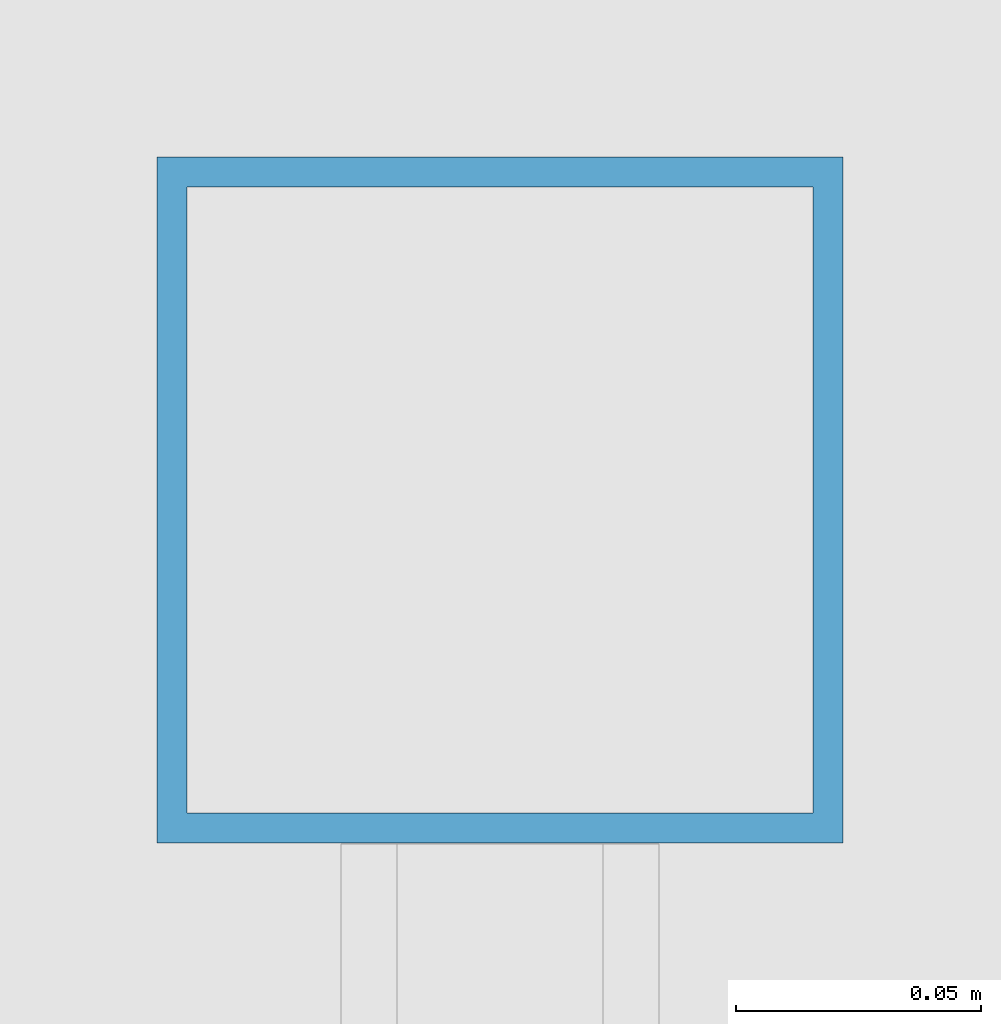
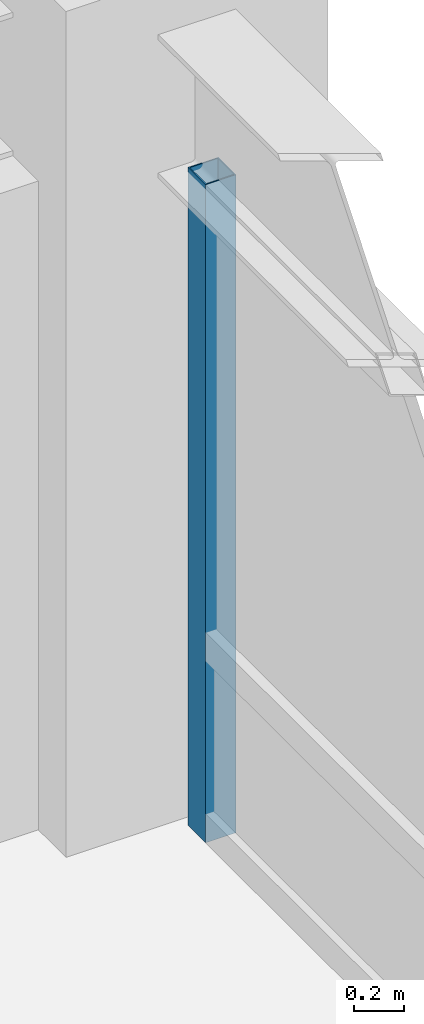
# One storey, part 16 of 28: 1 member, 1 element without a shape of its own.
"""IFC4 building model written with IfcOpenShell, lengths in metres."""

from ifc_helpers import new_model, si_unit, direction, frame, origin, origin_2d, place, context, subcontext, project, spatial, hollow_rectangle, extrude, source, transform, mapped, material, material_profile, profile_set, type_object, element, aggregate, save


model = new_model("IFC4")

# Units and contexts
model_context = context("Model", 3, precision=1e-05, world=origin(), true_north=direction((0.0, 1.0)))
body_context = subcontext(model_context, "Body", "Model", "MODEL_VIEW")
ifc_project = project(units=[si_unit("LENGTHUNIT", "METRE"), si_unit("AREAUNIT", "SQUARE_METRE"), si_unit("VOLUMEUNIT", "CUBIC_METRE"), si_unit("PLANEANGLEUNIT", "RADIAN"), si_unit("MASSUNIT", "GRAM", prefix="KILO")], contexts=[model_context])

# Site, building, storey
site_placement = place(None, origin())
site = spatial("IfcSite", under=ifc_project, at=site_placement, CompositionType="ELEMENT")
building_placement = place(site_placement, origin())
building = spatial("IfcBuilding", under=site, at=building_placement, Name="Khorayat Bourse Tower", CompositionType="ELEMENT")
storey_placement = place(building_placement, frame((0.0, 0.0, 120.10009765625)))
storey = spatial("IfcBuildingStorey", under=building, at=storey_placement, Name="L27", CompositionType="ELEMENT", Elevation=120.10009765625)

# Curtain wall, member
ifc_material = material(Name="Aluminium EN AW-6063 T6", Category="aluminium")
curtain_wall_type = type_object("IfcCurtainWallType", Name="CW-SYS-02", PredefinedType="NOTDEFINED", material=ifc_material)
curtain_wall_placement = place(storey_placement, origin())
curtain_wall = element("IfcCurtainWall", 1, at=curtain_wall_placement, inside=storey, type_object=curtain_wall_type, Name="L27 Curtain Wall CW-L27-E1", PredefinedType="NOTDEFINED")
ifc_material_profile = material_profile(ifc_material, hollow_rectangle(XDim=0.139892578125, YDim=0.139892578125, WallThickness=0.006103515625, at=origin_2d()), Name="ALU 140x140x6")
ifc_profile_set = profile_set([ifc_material_profile], Name="Aluminium EN AW-6063 T6")
member_type = type_object("IfcMemberType", Name="CWM-VERT-140", PredefinedType="MULLION", material=ifc_profile_set)
shared_shape = source(origin(), body_context, "Body", "SweptSolid", [
    extrude(hollow_rectangle(XDim=0.139892578125, YDim=0.139892578125, WallThickness=0.006103515625, at=origin_2d()), origin(), (0.0, 0.0, 1.0), 3.18994140625),
])
member_placement = place(storey_placement, frame((32.0, 27.280029296875, 0.0), z_axis=(0.0, 0.0, 1.0), x_axis=(-1.0, 0.0, 0.0)))
member = element("IfcMember", 2, at=member_placement, type_object=member_type, Name="CW-L27-E1 Vertical Mullion 3", PredefinedType="MULLION", context=body_context, shape_type="MappedRepresentation", body=[
    mapped(shared_shape, transform((0.0, 0.0, 0.0), scale=1.0)),
])
aggregate(curtain_wall, [member])

save(model, "model.ifc")
